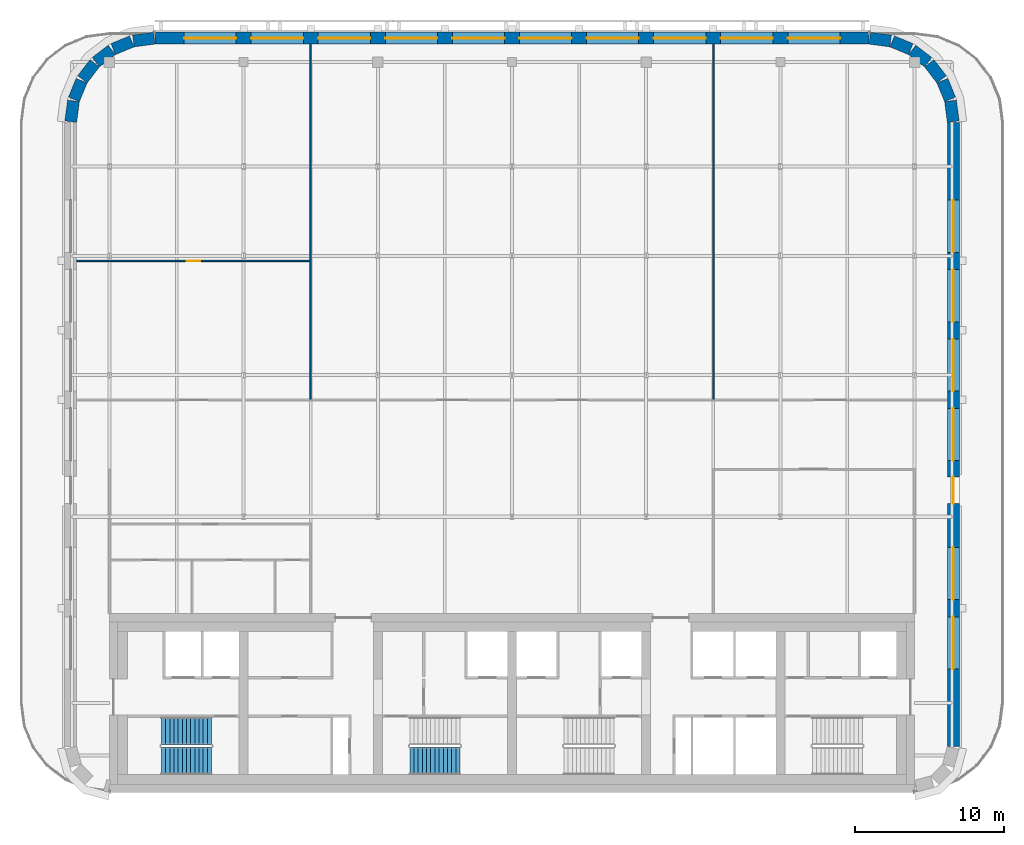
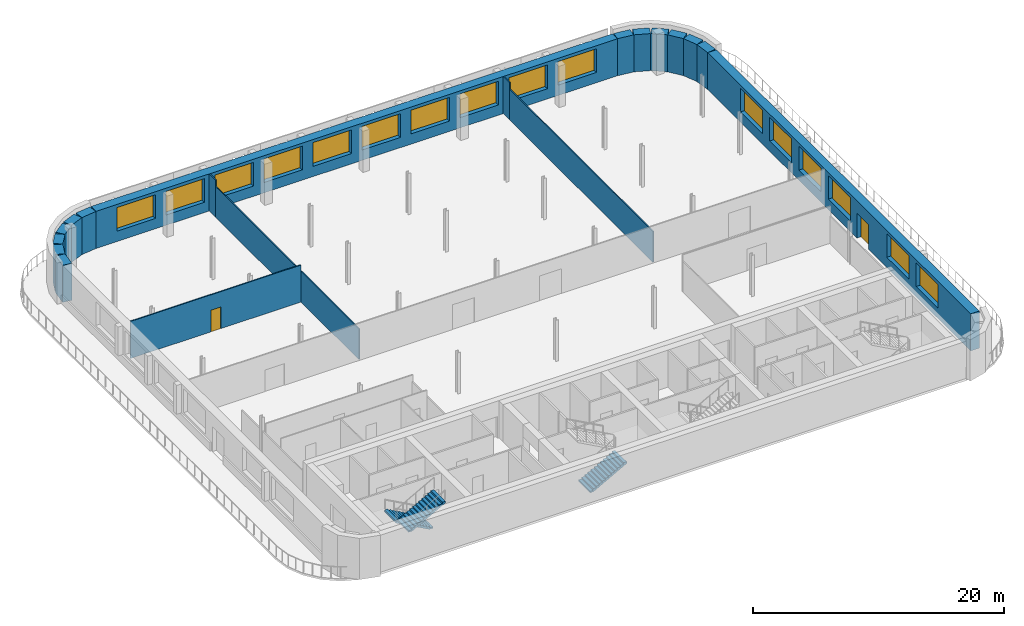
# One storey, part 9 of 13: 19 walls, 16 windows, 3 stair flights, 2 doors, 18 openings, 2 elements without a shape of their own.
"""IFC4 building model written with IfcOpenShell, lengths in metres."""

from ifc_helpers import new_model, si_unit, direction, frame, frame_2d, origin, place, context, subcontext, project, spatial, polyline, rectangle, outline, extrude, material, layer, layer_set, type_object, element, fill, aggregate, save


model = new_model("IFC4")

# Units and contexts
model_context = context("Model", 3, precision=1e-05, world=origin(), true_north=direction((0.0, 1.0)))
body_context = subcontext(model_context, "Body", "Model", "MODEL_VIEW")
ifc_project = project(units=[si_unit("LENGTHUNIT", "METRE"), si_unit("AREAUNIT", "SQUARE_METRE"), si_unit("VOLUMEUNIT", "CUBIC_METRE"), si_unit("PLANEANGLEUNIT", "RADIAN"), si_unit("MASSUNIT", "GRAM", prefix="KILO")], contexts=[model_context])

# Site, building, storey
site_placement = place(None, origin())
site = spatial("IfcSite", under=ifc_project, at=site_placement, CompositionType="ELEMENT")
building_placement = place(site_placement, origin())
building = spatial("IfcBuilding", under=site, at=building_placement, Name="Zellij Exchange Tower", CompositionType="ELEMENT")
storey_placement = place(building_placement, frame((0.0, 0.0, 292.5)))
storey = spatial("IfcBuildingStorey", under=building, at=storey_placement, Name="L69", CompositionType="ELEMENT", Elevation=292.5)

# Wall, openings, door, windows
ifc_material_1 = material(Name="Precast concrete C40/50", Category="concrete")
ifc_layer_1 = layer(ifc_material_1, 0.800048828125)
ifc_layer_set_1 = layer_set([ifc_layer_1], Name="Precast concrete C40/50")
wall_type_1 = type_object("IfcWallType", Name="ENV-EW1 Precast stone-piered wall 800", PredefinedType="SOLIDWALL", material=ifc_layer_set_1)
wall_1_placement = place(storey_placement, frame((29.60009765625, -10.89453125, 0.0), z_axis=(0.0, 0.0, 1.0), x_axis=(0.0, 1.0, 0.0)))
wall_1 = element("IfcWall", 1, at=wall_1_placement, inside=storey, type_object=wall_type_1, Name="fac.L69.04", PredefinedType="SOLIDWALL", context=body_context, shape_type="SweptSolid", body=[
    extrude(rectangle(XDim=41.842041015625, YDim=0.800048828125, at=frame_2d((20.9208984375, 0.0))), origin(), (0.0, 0.0, 1.0), 3.60009765625),
])
opening_1_placement = place(wall_1_placement, frame((5.18408203125, 0.0, 1.0)))
opening_1 = element("IfcOpeningElement", 2, at=opening_1_placement, cuts=wall_1, Name="Opening FC3.01", PredefinedType="OPENING", context=body_context, shape_type="SweptSolid", body=[
    extrude(rectangle(XDim=3.5, YDim=2.300048828125, at=frame_2d((1.75, 1.14990234375))), frame((0.0, 0.412109375, 0.0), z_axis=(0.0, -1.0, 0.0), x_axis=(1.0, 0.0, 0.0)), (0.0, 0.0, 1.0), 0.823974609375),
])
opening_2_placement = place(wall_1_placement, frame((9.842041015625, 0.0, 1.0)))
opening_2 = element("IfcOpeningElement", 3, at=opening_2_placement, cuts=wall_1, Name="Opening FC3.02", PredefinedType="OPENING", context=body_context, shape_type="SweptSolid", body=[
    extrude(rectangle(XDim=3.5, YDim=2.300048828125, at=frame_2d((1.75, 1.14990234375))), frame((0.0, 0.412109375, 0.0), z_axis=(0.0, -1.0, 0.0), x_axis=(1.0, 0.0, 0.0)), (0.0, 0.0, 1.0), 0.823974609375),
])
opening_3_placement = place(wall_1_placement, frame((19.15771484375, 0.0, 1.0)))
opening_3 = element("IfcOpeningElement", 4, at=opening_3_placement, cuts=wall_1, Name="Opening FC3.03", PredefinedType="OPENING", context=body_context, shape_type="SweptSolid", body=[
    extrude(rectangle(XDim=3.5, YDim=2.300048828125, at=frame_2d((1.75, 1.14990234375))), frame((0.0, 0.412109375, 0.0), z_axis=(0.0, -1.0, 0.0), x_axis=(1.0, 0.0, 0.0)), (0.0, 0.0, 1.0), 0.823974609375),
])
opening_4_placement = place(wall_1_placement, frame((23.815673828125, 0.0, 1.0)))
opening_4 = element("IfcOpeningElement", 5, at=opening_4_placement, cuts=wall_1, Name="Opening FC3.04", PredefinedType="OPENING", context=body_context, shape_type="SweptSolid", body=[
    extrude(rectangle(XDim=3.5, YDim=2.300048828125, at=frame_2d((1.75, 1.14990234375))), frame((0.0, 0.412109375, 0.0), z_axis=(0.0, -1.0, 0.0), x_axis=(1.0, 0.0, 0.0)), (0.0, 0.0, 1.0), 0.823974609375),
])
opening_5_placement = place(wall_1_placement, frame((28.4736328125, 0.0, 1.0)))
opening_5 = element("IfcOpeningElement", 6, at=opening_5_placement, cuts=wall_1, Name="Opening FC3.05", PredefinedType="OPENING", context=body_context, shape_type="SweptSolid", body=[
    extrude(rectangle(XDim=3.5, YDim=2.300048828125, at=frame_2d((1.75, 1.14990234375))), frame((0.0, 0.412109375, 0.0), z_axis=(0.0, -1.0, 0.0), x_axis=(1.0, 0.0, 0.0)), (0.0, 0.0, 1.0), 0.823974609375),
])
opening_6_placement = place(wall_1_placement, frame((33.131591796875, 0.0, 1.0)))
opening_6 = element("IfcOpeningElement", 7, at=opening_6_placement, cuts=wall_1, Name="Opening FC3.06", PredefinedType="OPENING", context=body_context, shape_type="SweptSolid", body=[
    extrude(rectangle(XDim=3.5, YDim=2.300048828125, at=frame_2d((1.75, 1.14990234375))), frame((0.0, 0.412109375, 0.0), z_axis=(0.0, -1.0, 0.0), x_axis=(1.0, 0.0, 0.0)), (0.0, 0.0, 1.0), 0.823974609375),
])
opening_7_placement = place(wall_1_placement, frame((16.27880859375, 0.0, 0.0)))
opening_7 = element("IfcOpeningElement", 8, at=opening_7_placement, cuts=wall_1, Name="Opening FC3.23", PredefinedType="OPENING", context=body_context, shape_type="SweptSolid", body=[
    extrude(rectangle(XDim=1.800048828125, YDim=2.39990234375, at=frame_2d((0.89990234375, 1.199951171875))), frame((0.0, 0.412109375, 0.0), z_axis=(0.0, -1.0, 0.0), x_axis=(1.0, 0.0, 0.0)), (0.0, 0.0, 1.0), 0.823974609375),
])
ifc_material_2 = material(Name="Aluminium and glass terrace door", Category="aluminium")
door_type_1 = type_object("IfcDoorType", Name="ENV-ED5 Terrace door 1800x2400", OperationType="DOUBLE_DOOR_SINGLE_SWING", PredefinedType="DOOR", material=ifc_material_2)
door_1_placement = place(opening_7_placement, origin())
door_1 = element("IfcDoor", 9, at=door_1_placement, inside=storey, type_object=door_type_1, Name="Terrace door FC3.23", OperationType="DOUBLE_DOOR_SINGLE_SWING", OverallHeight=2.39990234375, OverallWidth=1.800048828125, PredefinedType="DOOR", context=body_context, shape_type="SweptSolid", body=[
    extrude(rectangle(XDim=1.800048828125, YDim=2.39990234375, at=frame_2d((0.89990234375, 1.199951171875))), frame((0.0, 0.02490234375, 0.0), z_axis=(0.0, -1.0, 0.0), x_axis=(1.0, 0.0, 0.0)), (0.0, 0.0, 1.0), 0.050048828125),
])
fill(opening_7, door_1)
ifc_material_3 = material(Name="Aluminium frame with insulating glass", Category="aluminium")
window_type = type_object("IfcWindowType", Name="ENV-W5 Window 3500x2300", PartitioningType="SINGLE_PANEL", PredefinedType="WINDOW", material=ifc_material_3)
window_1_placement = place(opening_1_placement, origin())
window_1 = element("IfcWindow", 10, at=window_1_placement, inside=storey, type_object=window_type, Name="Window FC3.01", OverallHeight=2.300048828125, OverallWidth=3.5, PartitioningType="SINGLE_PANEL", PredefinedType="WINDOW", context=body_context, shape_type="SweptSolid", body=[
    extrude(rectangle(XDim=3.5, YDim=2.300048828125, at=frame_2d((1.75, 1.14990234375))), frame((0.0, 0.030029296875, 0.0), z_axis=(0.0, -1.0, 0.0), x_axis=(1.0, 0.0, 0.0)), (0.0, 0.0, 1.0), 0.06005859375),
])
fill(opening_1, window_1)
window_2_placement = place(opening_2_placement, origin())
window_2 = element("IfcWindow", 11, at=window_2_placement, inside=storey, type_object=window_type, Name="Window FC3.02", OverallHeight=2.300048828125, OverallWidth=3.5, PartitioningType="SINGLE_PANEL", PredefinedType="WINDOW", context=body_context, shape_type="SweptSolid", body=[
    extrude(rectangle(XDim=3.5, YDim=2.300048828125, at=frame_2d((1.75, 1.14990234375))), frame((0.0, 0.030029296875, 0.0), z_axis=(0.0, -1.0, 0.0), x_axis=(1.0, 0.0, 0.0)), (0.0, 0.0, 1.0), 0.06005859375),
])
fill(opening_2, window_2)
window_3_placement = place(opening_3_placement, origin())
window_3 = element("IfcWindow", 12, at=window_3_placement, inside=storey, type_object=window_type, Name="Window FC3.03", OverallHeight=2.300048828125, OverallWidth=3.5, PartitioningType="SINGLE_PANEL", PredefinedType="WINDOW", context=body_context, shape_type="SweptSolid", body=[
    extrude(rectangle(XDim=3.5, YDim=2.300048828125, at=frame_2d((1.75, 1.14990234375))), frame((0.0, 0.030029296875, 0.0), z_axis=(0.0, -1.0, 0.0), x_axis=(1.0, 0.0, 0.0)), (0.0, 0.0, 1.0), 0.06005859375),
])
fill(opening_3, window_3)
window_4_placement = place(opening_4_placement, origin())
window_4 = element("IfcWindow", 13, at=window_4_placement, inside=storey, type_object=window_type, Name="Window FC3.04", OverallHeight=2.300048828125, OverallWidth=3.5, PartitioningType="SINGLE_PANEL", PredefinedType="WINDOW", context=body_context, shape_type="SweptSolid", body=[
    extrude(rectangle(XDim=3.5, YDim=2.300048828125, at=frame_2d((1.75, 1.14990234375))), frame((0.0, 0.030029296875, 0.0), z_axis=(0.0, -1.0, 0.0), x_axis=(1.0, 0.0, 0.0)), (0.0, 0.0, 1.0), 0.06005859375),
])
fill(opening_4, window_4)
window_5_placement = place(opening_5_placement, origin())
window_5 = element("IfcWindow", 14, at=window_5_placement, inside=storey, type_object=window_type, Name="Window FC3.05", OverallHeight=2.300048828125, OverallWidth=3.5, PartitioningType="SINGLE_PANEL", PredefinedType="WINDOW", context=body_context, shape_type="SweptSolid", body=[
    extrude(rectangle(XDim=3.5, YDim=2.300048828125, at=frame_2d((1.75, 1.14990234375))), frame((0.0, 0.030029296875, 0.0), z_axis=(0.0, -1.0, 0.0), x_axis=(1.0, 0.0, 0.0)), (0.0, 0.0, 1.0), 0.06005859375),
])
fill(opening_5, window_5)
window_6_placement = place(opening_6_placement, origin())
window_6 = element("IfcWindow", 15, at=window_6_placement, inside=storey, type_object=window_type, Name="Window FC3.06", OverallHeight=2.300048828125, OverallWidth=3.5, PartitioningType="SINGLE_PANEL", PredefinedType="WINDOW", context=body_context, shape_type="SweptSolid", body=[
    extrude(rectangle(XDim=3.5, YDim=2.300048828125, at=frame_2d((1.75, 1.14990234375))), frame((0.0, 0.030029296875, 0.0), z_axis=(0.0, -1.0, 0.0), x_axis=(1.0, 0.0, 0.0)), (0.0, 0.0, 1.0), 0.06005859375),
])
fill(opening_6, window_6)

# Walls
wall_2_placement = place(storey_placement, frame((29.5966796875, 30.999755859375, 0.0), z_axis=(0.0, 0.0, 1.0), x_axis=(-0.130517283865, 0.99144603414, 0.0)))
element("IfcWall", 16, at=wall_2_placement, inside=storey, type_object=wall_type_1, Name="fac.L69.05", PredefinedType="SOLIDWALL", context=body_context, shape_type="SweptSolid", body=[
    extrude(rectangle(XDim=1.408447265625, YDim=0.800048828125, at=frame_2d((0.7041015625, 0.0))), origin(), (0.0, 0.0, 1.0), 3.60009765625),
])
wall_3_placement = place(storey_placement, frame((29.3857421875, 32.497314453125, 0.0), z_axis=(0.0, 0.0, 1.0), x_axis=(-0.38276009378, 0.923847774587, 0.0)))
element("IfcWall", 17, at=wall_3_placement, inside=storey, type_object=wall_type_1, Name="fac.L69.06", PredefinedType="SOLIDWALL", context=body_context, shape_type="SweptSolid", body=[
    extrude(rectangle(XDim=1.35546875, YDim=0.800048828125, at=frame_2d((0.677734375, 0.0))), origin(), (0.0, 0.0, 1.0), 3.60009765625),
])
for number, where, z_axis, x_axis, name in (
    (18, (28.814697265625, 33.840087890625, 0.0), (0.0, 0.0, 1.0), (-0.608866226366, 0.793272915452, 0.0), "fac.L69.07"),
    (19, (27.91552734375, 34.9892578125, 0.0), (0.0, 0.0, 1.0), (-0.793272915452, 0.608866226366, 0.0), "fac.L69.08"),
):
    element("IfcWall", number, at=place(storey_placement, frame(where, z_axis=z_axis, x_axis=x_axis)), inside=storey, type_object=wall_type_1, Name=name, PredefinedType="SOLIDWALL", context=body_context, shape_type="SweptSolid", body=[
        extrude(rectangle(XDim=1.355712890625, YDim=0.800048828125, at=frame_2d((0.677734375, 0.0))), origin(), (0.0, 0.0, 1.0), 3.60009765625),
    ])
wall_4_placement = place(storey_placement, frame((26.74951171875, 35.866943359375, 0.0), z_axis=(0.0, 0.0, 1.0), x_axis=(-0.923847774587, 0.38276009378, 0.0)))
element("IfcWall", 20, at=wall_4_placement, inside=storey, type_object=wall_type_1, Name="fac.L69.09", PredefinedType="SOLIDWALL", context=body_context, shape_type="SweptSolid", body=[
    extrude(rectangle(XDim=1.35546875, YDim=0.800048828125, at=frame_2d((0.677734375, 0.0))), origin(), (0.0, 0.0, 1.0), 3.60009765625),
])
wall_5_placement = place(storey_placement, frame((25.396240234375, 36.412841796875, 0.0), z_axis=(0.0, 0.0, 1.0), x_axis=(-0.99144603414, 0.130517283865, 0.0)))
element("IfcWall", 21, at=wall_5_placement, inside=storey, type_object=wall_type_1, Name="fac.L69.10", PredefinedType="SOLIDWALL", context=body_context, shape_type="SweptSolid", body=[
    extrude(rectangle(XDim=1.408447265625, YDim=0.800048828125, at=frame_2d((0.7041015625, 0.0))), origin(), (0.0, 0.0, 1.0), 3.60009765625),
])

# Wall, openings, windows
wall_6_placement = place(storey_placement, frame((23.947509765625, 36.60009765625, 0.0), z_axis=(0.0, 0.0, 1.0), x_axis=(-1.0, 0.0, 0.0)))
wall_6 = element("IfcWall", 22, at=wall_6_placement, inside=storey, type_object=wall_type_1, Name="fac.L69.11", PredefinedType="SOLIDWALL", context=body_context, shape_type="SweptSolid", body=[
    extrude(rectangle(XDim=47.89501953125, YDim=0.800048828125, at=frame_2d((23.947509765625, 0.0))), origin(), (0.0, 0.0, 1.0), 3.60009765625),
])
opening_8_placement = place(wall_6_placement, frame((1.947509765625, 0.0, 1.0)))
opening_8 = element("IfcOpeningElement", 23, at=opening_8_placement, cuts=wall_6, Name="Opening FC3.07", PredefinedType="OPENING", context=body_context, shape_type="SweptSolid", body=[
    extrude(rectangle(XDim=3.5, YDim=2.300048828125, at=frame_2d((1.75, 1.14990234375))), frame((0.0, 0.412109375, 0.0), z_axis=(0.0, -1.0, 0.0), x_axis=(1.0, 0.0, 0.0)), (0.0, 0.0, 1.0), 0.823974609375),
])
opening_9_placement = place(wall_6_placement, frame((6.447509765625, 0.0, 1.0)))
opening_9 = element("IfcOpeningElement", 24, at=opening_9_placement, cuts=wall_6, Name="Opening FC3.08", PredefinedType="OPENING", context=body_context, shape_type="SweptSolid", body=[
    extrude(rectangle(XDim=3.5, YDim=2.300048828125, at=frame_2d((1.75, 1.14990234375))), frame((0.0, 0.412109375, 0.0), z_axis=(0.0, -1.0, 0.0), x_axis=(1.0, 0.0, 0.0)), (0.0, 0.0, 1.0), 0.823974609375),
])
opening_10_placement = place(wall_6_placement, frame((10.947509765625, 0.0, 1.0)))
opening_10 = element("IfcOpeningElement", 25, at=opening_10_placement, cuts=wall_6, Name="Opening FC3.09", PredefinedType="OPENING", context=body_context, shape_type="SweptSolid", body=[
    extrude(rectangle(XDim=3.5, YDim=2.300048828125, at=frame_2d((1.75, 1.14990234375))), frame((0.0, 0.412109375, 0.0), z_axis=(0.0, -1.0, 0.0), x_axis=(1.0, 0.0, 0.0)), (0.0, 0.0, 1.0), 0.823974609375),
])
opening_11_placement = place(wall_6_placement, frame((15.447509765625, 0.0, 1.0)))
opening_11 = element("IfcOpeningElement", 26, at=opening_11_placement, cuts=wall_6, Name="Opening FC3.10", PredefinedType="OPENING", context=body_context, shape_type="SweptSolid", body=[
    extrude(rectangle(XDim=3.5, YDim=2.300048828125, at=frame_2d((1.75, 1.14990234375))), frame((0.0, 0.412109375, 0.0), z_axis=(0.0, -1.0, 0.0), x_axis=(1.0, 0.0, 0.0)), (0.0, 0.0, 1.0), 0.823974609375),
])
opening_12_placement = place(wall_6_placement, frame((19.947509765625, 0.0, 1.0)))
opening_12 = element("IfcOpeningElement", 27, at=opening_12_placement, cuts=wall_6, Name="Opening FC3.11", PredefinedType="OPENING", context=body_context, shape_type="SweptSolid", body=[
    extrude(rectangle(XDim=3.5, YDim=2.300048828125, at=frame_2d((1.75, 1.14990234375))), frame((0.0, 0.412109375, 0.0), z_axis=(0.0, -1.0, 0.0), x_axis=(1.0, 0.0, 0.0)), (0.0, 0.0, 1.0), 0.823974609375),
])
opening_13_placement = place(wall_6_placement, frame((24.447509765625, 0.0, 1.0)))
opening_13 = element("IfcOpeningElement", 28, at=opening_13_placement, cuts=wall_6, Name="Opening FC3.12", PredefinedType="OPENING", context=body_context, shape_type="SweptSolid", body=[
    extrude(rectangle(XDim=3.5, YDim=2.300048828125, at=frame_2d((1.75, 1.14990234375))), frame((0.0, 0.412109375, 0.0), z_axis=(0.0, -1.0, 0.0), x_axis=(1.0, 0.0, 0.0)), (0.0, 0.0, 1.0), 0.823974609375),
])
opening_14_placement = place(wall_6_placement, frame((28.947509765625, 0.0, 1.0)))
opening_14 = element("IfcOpeningElement", 29, at=opening_14_placement, cuts=wall_6, Name="Opening FC3.13", PredefinedType="OPENING", context=body_context, shape_type="SweptSolid", body=[
    extrude(rectangle(XDim=3.5, YDim=2.300048828125, at=frame_2d((1.75, 1.14990234375))), frame((0.0, 0.412109375, 0.0), z_axis=(0.0, -1.0, 0.0), x_axis=(1.0, 0.0, 0.0)), (0.0, 0.0, 1.0), 0.823974609375),
])
opening_15_placement = place(wall_6_placement, frame((33.447509765625, 0.0, 1.0)))
opening_15 = element("IfcOpeningElement", 30, at=opening_15_placement, cuts=wall_6, Name="Opening FC3.14", PredefinedType="OPENING", context=body_context, shape_type="SweptSolid", body=[
    extrude(rectangle(XDim=3.5, YDim=2.300048828125, at=frame_2d((1.75, 1.14990234375))), frame((0.0, 0.412109375, 0.0), z_axis=(0.0, -1.0, 0.0), x_axis=(1.0, 0.0, 0.0)), (0.0, 0.0, 1.0), 0.823974609375),
])
opening_16_placement = place(wall_6_placement, frame((37.947509765625, 0.0, 1.0)))
opening_16 = element("IfcOpeningElement", 31, at=opening_16_placement, cuts=wall_6, Name="Opening FC3.15", PredefinedType="OPENING", context=body_context, shape_type="SweptSolid", body=[
    extrude(rectangle(XDim=3.5, YDim=2.300048828125, at=frame_2d((1.75, 1.14990234375))), frame((0.0, 0.412109375, 0.0), z_axis=(0.0, -1.0, 0.0), x_axis=(1.0, 0.0, 0.0)), (0.0, 0.0, 1.0), 0.823974609375),
])
opening_17_placement = place(wall_6_placement, frame((42.447509765625, 0.0, 1.0)))
opening_17 = element("IfcOpeningElement", 32, at=opening_17_placement, cuts=wall_6, Name="Opening FC3.16", PredefinedType="OPENING", context=body_context, shape_type="SweptSolid", body=[
    extrude(rectangle(XDim=3.5, YDim=2.300048828125, at=frame_2d((1.75, 1.14990234375))), frame((0.0, 0.412109375, 0.0), z_axis=(0.0, -1.0, 0.0), x_axis=(1.0, 0.0, 0.0)), (0.0, 0.0, 1.0), 0.823974609375),
])
window_7_placement = place(opening_8_placement, origin())
window_7 = element("IfcWindow", 33, at=window_7_placement, inside=storey, type_object=window_type, Name="Window FC3.07", OverallHeight=2.300048828125, OverallWidth=3.5, PartitioningType="SINGLE_PANEL", PredefinedType="WINDOW", context=body_context, shape_type="SweptSolid", body=[
    extrude(rectangle(XDim=3.5, YDim=2.300048828125, at=frame_2d((1.75, 1.14990234375))), frame((0.0, 0.030029296875, 0.0), z_axis=(0.0, -1.0, 0.0), x_axis=(1.0, 0.0, 0.0)), (0.0, 0.0, 1.0), 0.06005859375),
])
fill(opening_8, window_7)
window_8_placement = place(opening_9_placement, origin())
window_8 = element("IfcWindow", 34, at=window_8_placement, inside=storey, type_object=window_type, Name="Window FC3.08", OverallHeight=2.300048828125, OverallWidth=3.5, PartitioningType="SINGLE_PANEL", PredefinedType="WINDOW", context=body_context, shape_type="SweptSolid", body=[
    extrude(rectangle(XDim=3.5, YDim=2.300048828125, at=frame_2d((1.75, 1.14990234375))), frame((0.0, 0.030029296875, 0.0), z_axis=(0.0, -1.0, 0.0), x_axis=(1.0, 0.0, 0.0)), (0.0, 0.0, 1.0), 0.06005859375),
])
fill(opening_9, window_8)
window_9_placement = place(opening_10_placement, origin())
window_9 = element("IfcWindow", 35, at=window_9_placement, inside=storey, type_object=window_type, Name="Window FC3.09", OverallHeight=2.300048828125, OverallWidth=3.5, PartitioningType="SINGLE_PANEL", PredefinedType="WINDOW", context=body_context, shape_type="SweptSolid", body=[
    extrude(rectangle(XDim=3.5, YDim=2.300048828125, at=frame_2d((1.75, 1.14990234375))), frame((0.0, 0.030029296875, 0.0), z_axis=(0.0, -1.0, 0.0), x_axis=(1.0, 0.0, 0.0)), (0.0, 0.0, 1.0), 0.06005859375),
])
fill(opening_10, window_9)
window_10_placement = place(opening_11_placement, origin())
window_10 = element("IfcWindow", 36, at=window_10_placement, inside=storey, type_object=window_type, Name="Window FC3.10", OverallHeight=2.300048828125, OverallWidth=3.5, PartitioningType="SINGLE_PANEL", PredefinedType="WINDOW", context=body_context, shape_type="SweptSolid", body=[
    extrude(rectangle(XDim=3.5, YDim=2.300048828125, at=frame_2d((1.75, 1.14990234375))), frame((0.0, 0.030029296875, 0.0), z_axis=(0.0, -1.0, 0.0), x_axis=(1.0, 0.0, 0.0)), (0.0, 0.0, 1.0), 0.06005859375),
])
fill(opening_11, window_10)
window_11_placement = place(opening_12_placement, origin())
window_11 = element("IfcWindow", 37, at=window_11_placement, inside=storey, type_object=window_type, Name="Window FC3.11", OverallHeight=2.300048828125, OverallWidth=3.5, PartitioningType="SINGLE_PANEL", PredefinedType="WINDOW", context=body_context, shape_type="SweptSolid", body=[
    extrude(rectangle(XDim=3.5, YDim=2.300048828125, at=frame_2d((1.75, 1.14990234375))), frame((0.0, 0.030029296875, 0.0), z_axis=(0.0, -1.0, 0.0), x_axis=(1.0, 0.0, 0.0)), (0.0, 0.0, 1.0), 0.06005859375),
])
fill(opening_12, window_11)
window_12_placement = place(opening_13_placement, origin())
window_12 = element("IfcWindow", 38, at=window_12_placement, inside=storey, type_object=window_type, Name="Window FC3.12", OverallHeight=2.300048828125, OverallWidth=3.5, PartitioningType="SINGLE_PANEL", PredefinedType="WINDOW", context=body_context, shape_type="SweptSolid", body=[
    extrude(rectangle(XDim=3.5, YDim=2.300048828125, at=frame_2d((1.75, 1.14990234375))), frame((0.0, 0.030029296875, 0.0), z_axis=(0.0, -1.0, 0.0), x_axis=(1.0, 0.0, 0.0)), (0.0, 0.0, 1.0), 0.06005859375),
])
fill(opening_13, window_12)
window_13_placement = place(opening_14_placement, origin())
window_13 = element("IfcWindow", 39, at=window_13_placement, inside=storey, type_object=window_type, Name="Window FC3.13", OverallHeight=2.300048828125, OverallWidth=3.5, PartitioningType="SINGLE_PANEL", PredefinedType="WINDOW", context=body_context, shape_type="SweptSolid", body=[
    extrude(rectangle(XDim=3.5, YDim=2.300048828125, at=frame_2d((1.75, 1.14990234375))), frame((0.0, 0.030029296875, 0.0), z_axis=(0.0, -1.0, 0.0), x_axis=(1.0, 0.0, 0.0)), (0.0, 0.0, 1.0), 0.06005859375),
])
fill(opening_14, window_13)
window_14_placement = place(opening_15_placement, origin())
window_14 = element("IfcWindow", 40, at=window_14_placement, inside=storey, type_object=window_type, Name="Window FC3.14", OverallHeight=2.300048828125, OverallWidth=3.5, PartitioningType="SINGLE_PANEL", PredefinedType="WINDOW", context=body_context, shape_type="SweptSolid", body=[
    extrude(rectangle(XDim=3.5, YDim=2.300048828125, at=frame_2d((1.75, 1.14990234375))), frame((0.0, 0.030029296875, 0.0), z_axis=(0.0, -1.0, 0.0), x_axis=(1.0, 0.0, 0.0)), (0.0, 0.0, 1.0), 0.06005859375),
])
fill(opening_15, window_14)
window_15_placement = place(opening_16_placement, origin())
window_15 = element("IfcWindow", 41, at=window_15_placement, inside=storey, type_object=window_type, Name="Window FC3.15", OverallHeight=2.300048828125, OverallWidth=3.5, PartitioningType="SINGLE_PANEL", PredefinedType="WINDOW", context=body_context, shape_type="SweptSolid", body=[
    extrude(rectangle(XDim=3.5, YDim=2.300048828125, at=frame_2d((1.75, 1.14990234375))), frame((0.0, 0.030029296875, 0.0), z_axis=(0.0, -1.0, 0.0), x_axis=(1.0, 0.0, 0.0)), (0.0, 0.0, 1.0), 0.06005859375),
])
fill(opening_16, window_15)
window_16_placement = place(opening_17_placement, origin())
window_16 = element("IfcWindow", 42, at=window_16_placement, inside=storey, type_object=window_type, Name="Window FC3.16", OverallHeight=2.300048828125, OverallWidth=3.5, PartitioningType="SINGLE_PANEL", PredefinedType="WINDOW", context=body_context, shape_type="SweptSolid", body=[
    extrude(rectangle(XDim=3.5, YDim=2.300048828125, at=frame_2d((1.75, 1.14990234375))), frame((0.0, 0.030029296875, 0.0), z_axis=(0.0, -1.0, 0.0), x_axis=(1.0, 0.0, 0.0)), (0.0, 0.0, 1.0), 0.06005859375),
])
fill(opening_17, window_16)

# Walls
wall_7_placement = place(storey_placement, frame((-23.999755859375, 36.5966796875, 0.0), z_axis=(0.0, 0.0, 1.0), x_axis=(-0.99144603414, -0.130517283865, 0.0)))
element("IfcWall", 43, at=wall_7_placement, inside=storey, type_object=wall_type_1, Name="fac.L69.12", PredefinedType="SOLIDWALL", context=body_context, shape_type="SweptSolid", body=[
    extrude(rectangle(XDim=1.408447265625, YDim=0.800048828125, at=frame_2d((0.7041015625, 0.0))), origin(), (0.0, 0.0, 1.0), 3.60009765625),
])
wall_8_placement = place(storey_placement, frame((-25.497314453125, 36.3857421875, 0.0), z_axis=(0.0, 0.0, 1.0), x_axis=(-0.923847774587, -0.38276009378, 0.0)))
element("IfcWall", 44, at=wall_8_placement, inside=storey, type_object=wall_type_1, Name="fac.L69.13", PredefinedType="SOLIDWALL", context=body_context, shape_type="SweptSolid", body=[
    extrude(rectangle(XDim=1.35546875, YDim=0.800048828125, at=frame_2d((0.677734375, 0.0))), origin(), (0.0, 0.0, 1.0), 3.60009765625),
])
for number, where, z_axis, x_axis, name in (
    (45, (-26.840087890625, 35.814697265625, 0.0), (0.0, 0.0, 1.0), (-0.793272915452, -0.608866226366, 0.0), "fac.L69.14"),
    (46, (-27.9892578125, 34.91552734375, 0.0), (0.0, 0.0, 1.0), (-0.608866226366, -0.793272915452, 0.0), "fac.L69.15"),
):
    element("IfcWall", number, at=place(storey_placement, frame(where, z_axis=z_axis, x_axis=x_axis)), inside=storey, type_object=wall_type_1, Name=name, PredefinedType="SOLIDWALL", context=body_context, shape_type="SweptSolid", body=[
        extrude(rectangle(XDim=1.355712890625, YDim=0.800048828125, at=frame_2d((0.677734375, 0.0))), origin(), (0.0, 0.0, 1.0), 3.60009765625),
    ])
wall_9_placement = place(storey_placement, frame((-28.866943359375, 33.74951171875, 0.0), z_axis=(0.0, 0.0, 1.0), x_axis=(-0.38276009378, -0.923847774587, 0.0)))
element("IfcWall", 47, at=wall_9_placement, inside=storey, type_object=wall_type_1, Name="fac.L69.16", PredefinedType="SOLIDWALL", context=body_context, shape_type="SweptSolid", body=[
    extrude(rectangle(XDim=1.35546875, YDim=0.800048828125, at=frame_2d((0.677734375, 0.0))), origin(), (0.0, 0.0, 1.0), 3.60009765625),
])
wall_10_placement = place(storey_placement, frame((-29.412841796875, 32.396240234375, 0.0), z_axis=(0.0, 0.0, 1.0), x_axis=(-0.130517283865, -0.99144603414, 0.0)))
element("IfcWall", 48, at=wall_10_placement, inside=storey, type_object=wall_type_1, Name="fac.L69.17", PredefinedType="SOLIDWALL", context=body_context, shape_type="SweptSolid", body=[
    extrude(rectangle(XDim=1.408447265625, YDim=0.800048828125, at=frame_2d((0.7041015625, 0.0))), origin(), (0.0, 0.0, 1.0), 3.60009765625),
])
ifc_material_4 = material(Name="Gypsum board partition on steel studs", Category="steel")
ifc_layer_2 = layer(ifc_material_4, 0.10009765625)
ifc_layer_set_2 = layer_set([ifc_layer_2], Name="Gypsum board partition on steel studs")
wall_type_2 = type_object("IfcWallType", Name="FIT-PARTITION-100", PredefinedType="PARTITIONING", material=ifc_layer_set_2)
wall_11_placement = place(storey_placement, frame((-13.5, 12.389892578125, 0.0), z_axis=(0.0, 0.0, 1.0), x_axis=(0.0, 1.0, 0.0)))
element("IfcWall", 49, at=wall_11_placement, inside=storey, type_object=wall_type_2, Name="FIT-PARTITION-100 013", PredefinedType="PARTITIONING", context=body_context, shape_type="SweptSolid", body=[
    extrude(rectangle(XDim=22.822265625, YDim=0.10009765625, at=frame_2d((11.4111328125, 0.0))), origin(), (0.0, 0.0, 1.0), 2.98779296875),
])
wall_12_placement = place(storey_placement, frame((-13.5, 35.212158203125, 0.0), z_axis=(0.0, 0.0, 1.0), x_axis=(0.0, 1.0, 0.0)))
element("IfcWall", 50, at=wall_12_placement, inside=storey, type_object=wall_type_2, Name="FIT-PARTITION-100 014", PredefinedType="PARTITIONING", context=body_context, shape_type="SweptSolid", body=[
    extrude(rectangle(XDim=0.98779296875, YDim=0.10009765625, at=frame_2d((0.493896484375, 0.0))), origin(), (0.0, 0.0, 1.0), 3.60009765625),
])
wall_13_placement = place(storey_placement, frame((13.5, 12.389892578125, 0.0), z_axis=(0.0, 0.0, 1.0), x_axis=(0.0, 1.0, 0.0)))
element("IfcWall", 51, at=wall_13_placement, inside=storey, type_object=wall_type_2, Name="FIT-PARTITION-100 015", PredefinedType="PARTITIONING", context=body_context, shape_type="SweptSolid", body=[
    extrude(rectangle(XDim=22.822265625, YDim=0.10009765625, at=frame_2d((11.4111328125, 0.0))), origin(), (0.0, 0.0, 1.0), 2.98779296875),
])
wall_14_placement = place(storey_placement, frame((13.5, 35.212158203125, 0.0), z_axis=(0.0, 0.0, 1.0), x_axis=(0.0, 1.0, 0.0)))
element("IfcWall", 52, at=wall_14_placement, inside=storey, type_object=wall_type_2, Name="FIT-PARTITION-100 016", PredefinedType="PARTITIONING", context=body_context, shape_type="SweptSolid", body=[
    extrude(rectangle(XDim=0.98779296875, YDim=0.10009765625, at=frame_2d((0.493896484375, 0.0))), origin(), (0.0, 0.0, 1.0), 3.60009765625),
])

# Wall, opening, door
wall_15_placement = place(storey_placement, frame((-29.199951171875, 21.659912109375, 0.0), z_axis=(0.0, 0.0, 1.0), x_axis=(1.0, 0.0, 0.0)))
wall_15 = element("IfcWall", 53, at=wall_15_placement, inside=storey, type_object=wall_type_2, Name="FIT-PARTITION-100 017", PredefinedType="PARTITIONING", context=body_context, shape_type="SweptSolid", body=[
    extrude(rectangle(XDim=15.64990234375, YDim=0.10009765625, at=frame_2d((7.824951171875, 0.0))), origin(), (0.0, 0.0, 1.0), 3.60009765625),
])
opening_18_placement = place(wall_15_placement, frame((7.39990234375, 0.0, 0.0)))
opening_18 = element("IfcOpeningElement", 54, at=opening_18_placement, cuts=wall_15, Name="Opening EX6.10", PredefinedType="OPENING", context=body_context, shape_type="SweptSolid", body=[
    extrude(rectangle(XDim=0.89990234375, YDim=2.10009765625, at=frame_2d((0.449951171875, 1.050048828125))), frame((0.0, 0.06201171875, 0.0), z_axis=(0.0, -1.0, 0.0), x_axis=(1.0, 0.0, 0.0)), (0.0, 0.0, 1.0), 0.1240234375),
])
ifc_material_5 = material(Name="Timber door set", Category="wood")
door_type_2 = type_object("IfcDoorType", Name="FIT-D1-ROOM-900X2100", OperationType="SINGLE_SWING_LEFT", PredefinedType="DOOR", material=ifc_material_5)
door_2_placement = place(opening_18_placement, origin())
door_2 = element("IfcDoor", 55, at=door_2_placement, inside=storey, type_object=door_type_2, Name="Door EX6.10", OperationType="SINGLE_SWING_LEFT", OverallHeight=2.10009765625, OverallWidth=0.89990234375, PredefinedType="DOOR", context=body_context, shape_type="SweptSolid", body=[
    extrude(rectangle(XDim=0.89990234375, YDim=2.10009765625, at=frame_2d((0.449951171875, 1.050048828125))), frame((0.0, 0.02490234375, 0.0), z_axis=(0.0, -1.0, 0.0), x_axis=(1.0, 0.0, 0.0)), (0.0, 0.0, 1.0), 0.050048828125),
])
fill(opening_18, door_2)

# Stair, stair flights
ifc_material_6 = material(Name="Concrete C40/50", Category="concrete")
stair_type = type_object("IfcStairType", Name="CORE-ST exit stair 1850 wide", PredefinedType="HALF_TURN_STAIR", material=ifc_material_6)
stair_1_placement = place(storey_placement, origin())
stair_1 = element("IfcStair", 56, at=stair_1_placement, inside=storey, type_object=stair_type, Name="L69 exit stair ST1", PredefinedType="HALF_TURN_STAIR")
stair_flight_type = type_object("IfcStairFlightType", Name="CORE-SF flight 1850 riser 153.8 going 280", PredefinedType="STRAIGHT", material=ifc_material_6)
stair_flight_1_placement = place(storey_placement, frame((-20.14990234375, -9.875, 0.0), z_axis=(0.0, 0.0, 1.0), x_axis=(-1.0, 0.0, 0.0)))
stair_flight_1 = element("IfcStairFlight", 57, at=stair_flight_1_placement, type_object=stair_flight_type, Name="ST1 flight 1", NumberOfRisers=13, NumberOfTreads=12, PredefinedType="STRAIGHT", RiserHeight=0.153846154, TreadLength=0.28, context=body_context, shape_type="SweptSolid", body=[
    extrude(outline(polyline([(0.0, 0.0), (0.0, 0.15380859375), (0.280029296875, 0.15380859375), (0.280029296875, 0.3076171875), (0.56005859375, 0.3076171875), (0.56005859375, 0.46142578125), (0.840087890625, 0.46142578125), (0.840087890625, 0.615478515625), (1.1201171875, 0.615478515625), (1.1201171875, 0.769287109375), (1.39990234375, 0.769287109375), (1.39990234375, 0.923095703125), (1.679931640625, 0.923095703125), (1.679931640625, 1.076904296875), (1.9599609375, 1.076904296875), (1.9599609375, 1.230712890625), (2.239990234375, 1.230712890625), (2.239990234375, 1.384521484375), (2.52001953125, 1.384521484375), (2.52001953125, 1.53857421875), (2.800048828125, 1.53857421875), (2.800048828125, 1.6923828125), (3.080078125, 1.6923828125), (3.080078125, 1.84619140625), (3.360107421875, 1.84619140625), (3.360107421875, 2.0), (3.360107421875, 1.675048828125), (0.311279296875, 0.0), (0.0, 0.0)])), frame((0.0, 0.925048828125, 0.0), z_axis=(0.0, -1.0, 0.0), x_axis=(1.0, 0.0, 0.0)), (0.0, 0.0, 1.0), 1.85009765625),
])
stair_flight_2_placement = place(storey_placement, frame((-23.510009765625, -11.875, 2.0), z_axis=(0.0, 0.0, 1.0), x_axis=(1.0, 0.0, 0.0)))
stair_flight_2 = element("IfcStairFlight", 58, at=stair_flight_2_placement, type_object=stair_flight_type, Name="ST1 flight 2", NumberOfRisers=13, NumberOfTreads=12, PredefinedType="STRAIGHT", RiserHeight=0.153846154, TreadLength=0.28, context=body_context, shape_type="SweptSolid", body=[
    extrude(outline(polyline([(0.0, 0.0), (0.0, 0.15380859375), (0.280029296875, 0.15380859375), (0.280029296875, 0.3076171875), (0.56005859375, 0.3076171875), (0.56005859375, 0.46142578125), (0.840087890625, 0.46142578125), (0.840087890625, 0.615478515625), (1.1201171875, 0.615478515625), (1.1201171875, 0.769287109375), (1.39990234375, 0.769287109375), (1.39990234375, 0.923095703125), (1.679931640625, 0.923095703125), (1.679931640625, 1.076904296875), (1.9599609375, 1.076904296875), (1.9599609375, 1.230712890625), (2.239990234375, 1.230712890625), (2.239990234375, 1.384521484375), (2.52001953125, 1.384521484375), (2.52001953125, 1.53857421875), (2.800048828125, 1.53857421875), (2.800048828125, 1.6923828125), (3.080078125, 1.6923828125), (3.080078125, 1.84619140625), (3.360107421875, 1.84619140625), (3.360107421875, 2.0), (3.360107421875, 1.675048828125), (0.311279296875, 0.0), (0.0, 0.0)])), frame((0.0, 0.925048828125, 0.0), z_axis=(0.0, -1.0, 0.0), x_axis=(1.0, 0.0, 0.0)), (0.0, 0.0, 1.0), 1.85009765625),
])
aggregate(stair_1, [stair_flight_1, stair_flight_2])

# Stair, stair flight
stair_2_placement = place(storey_placement, origin())
stair_2 = element("IfcStair", 59, at=stair_2_placement, inside=storey, type_object=stair_type, Name="L69 exit stair ST2", PredefinedType="HALF_TURN_STAIR")
stair_flight_3_placement = place(storey_placement, frame((-6.85009765625, -11.875, 0.0), z_axis=(0.0, 0.0, 1.0), x_axis=(1.0, 0.0, 0.0)))
stair_flight_3 = element("IfcStairFlight", 60, at=stair_flight_3_placement, type_object=stair_flight_type, Name="ST2 flight 1", NumberOfRisers=13, NumberOfTreads=12, PredefinedType="STRAIGHT", RiserHeight=0.153846154, TreadLength=0.28, context=body_context, shape_type="SweptSolid", body=[
    extrude(outline(polyline([(0.0, 0.0), (0.0, 0.15380859375), (0.280029296875, 0.15380859375), (0.280029296875, 0.3076171875), (0.56005859375, 0.3076171875), (0.56005859375, 0.46142578125), (0.840087890625, 0.46142578125), (0.840087890625, 0.615478515625), (1.1201171875, 0.615478515625), (1.1201171875, 0.769287109375), (1.39990234375, 0.769287109375), (1.39990234375, 0.923095703125), (1.679931640625, 0.923095703125), (1.679931640625, 1.076904296875), (1.9599609375, 1.076904296875), (1.9599609375, 1.230712890625), (2.239990234375, 1.230712890625), (2.239990234375, 1.384521484375), (2.52001953125, 1.384521484375), (2.52001953125, 1.53857421875), (2.800048828125, 1.53857421875), (2.800048828125, 1.6923828125), (3.080078125, 1.6923828125), (3.080078125, 1.84619140625), (3.360107421875, 1.84619140625), (3.360107421875, 2.0), (3.360107421875, 1.675048828125), (0.311279296875, 0.0), (0.0, 0.0)])), frame((0.0, 0.925048828125, 0.0), z_axis=(0.0, -1.0, 0.0), x_axis=(1.0, 0.0, 0.0)), (0.0, 0.0, 1.0), 1.85009765625),
])
aggregate(stair_2, [stair_flight_3])

save(model, "model.ifc")
